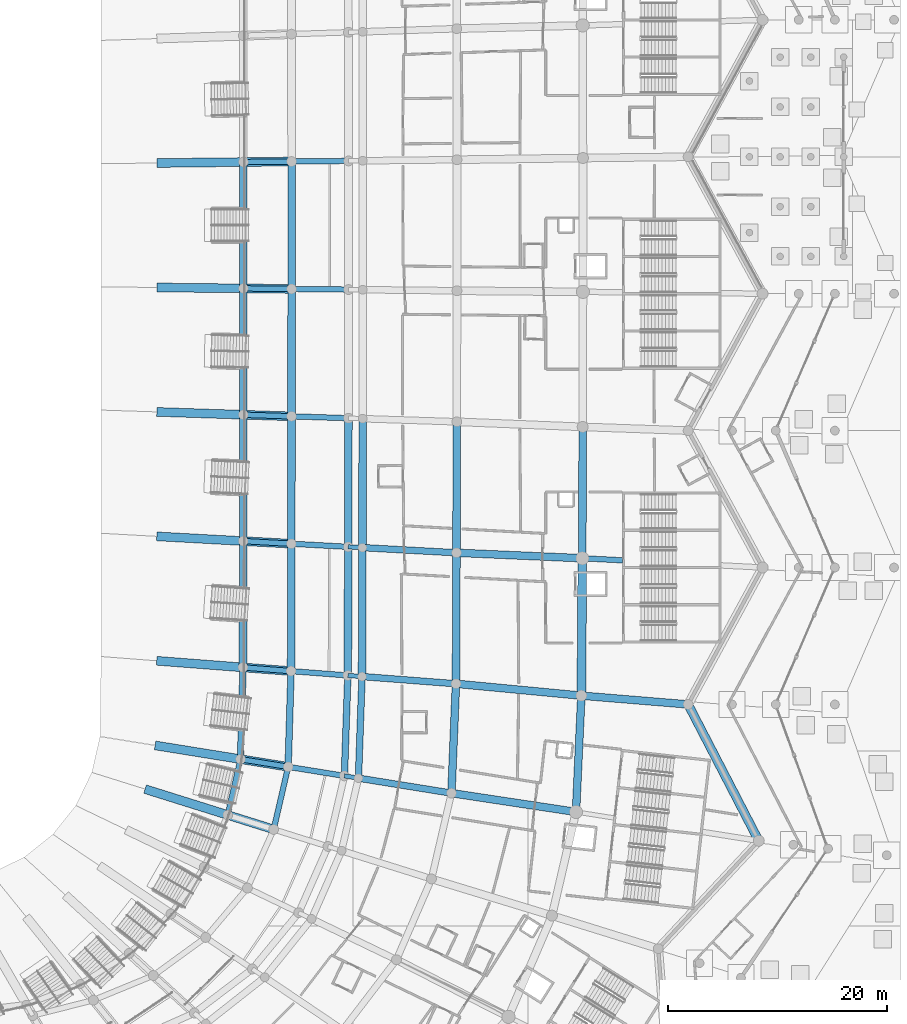
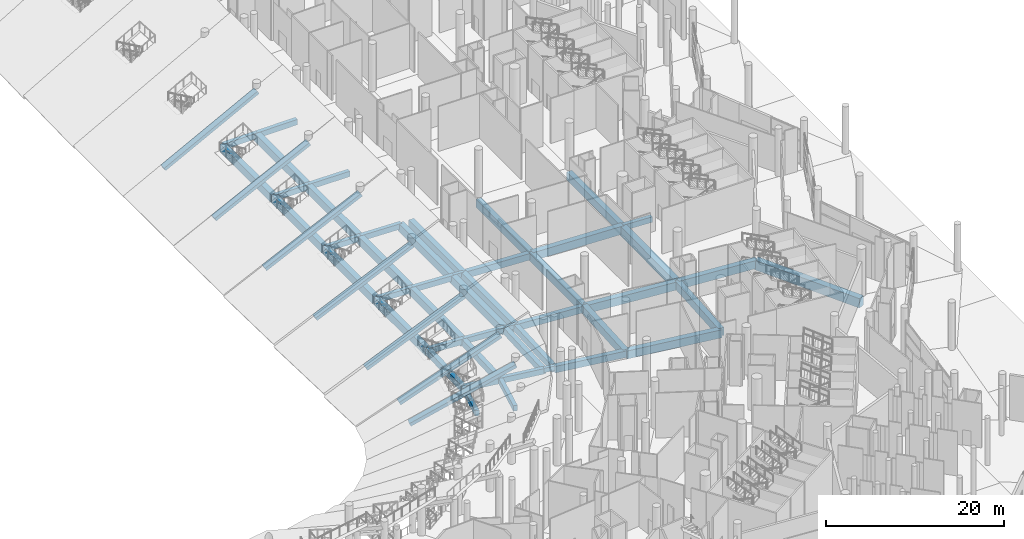
# One storey, part 38 of 255: 55 beams.
"""IFC4 building model written with IfcOpenShell, lengths in metres."""

from ifc_helpers import new_model, si_unit, direction, frame, origin, origin_2d, place, context, subcontext, project, spatial, rectangle, extrude, material, material_profile, profile_set, type_object, element, save


model = new_model("IFC4")

# Units and contexts
model_context = context("Model", 3, precision=1e-05, world=origin(), true_north=direction((0.0, 1.0)))
body_context = subcontext(model_context, "Body", "Model", "MODEL_VIEW")
ifc_project = project(units=[si_unit("LENGTHUNIT", "METRE"), si_unit("AREAUNIT", "SQUARE_METRE"), si_unit("VOLUMEUNIT", "CUBIC_METRE"), si_unit("PLANEANGLEUNIT", "RADIAN"), si_unit("MASSUNIT", "GRAM", prefix="KILO")], contexts=[model_context])

# Site, building, storey
site_placement = place(None, origin())
site = spatial("IfcSite", under=ifc_project, at=site_placement, CompositionType="ELEMENT")
building_placement = place(site_placement, origin())
building = spatial("IfcBuilding", under=site, at=building_placement, Name="Meseta Stadium", CompositionType="ELEMENT")
storey_placement = place(building_placement, origin())
storey = spatial("IfcBuildingStorey", under=building, at=storey_placement, Name="L00", CompositionType="ELEMENT", Elevation=0.0)

# Beams
ifc_material_1 = material(Name="Concrete C40/50", Category="concrete")
ifc_material_profile_1 = material_profile(ifc_material_1, rectangle(XDim=0.39990234375, YDim=0.60009765625, at=origin_2d()), Name="RC 400x600")
ifc_profile_set_1 = profile_set([ifc_material_profile_1], Name="Concrete C40/50")
beam_type_1 = type_object("IfcBeamType", Name="RC beam 400x600", PredefinedType="BEAM", material=ifc_profile_set_1)
for number, where, z_axis, x_axis, name in (
    (1, (63.21826171875, -50.27294921875, -0.699951171875), (0.98726777227, -0.159067111111, 0.0), (0.159067111111, 0.98726777227, 0.0), "L00 radial beam frame 0 line C to D"),
    (2, (63.53369140625, -41.1044921875, -0.699951171875), (0.99706000661, -0.076624690657, 0.0), (0.076624690657, 0.99706000661, 0.0), "L00 radial beam frame 1 line C to D"),
    (3, (63.566162109375, -29.3623046875, -0.699951171875), (0.998505663725, -0.054648325775, 0.0), (0.054648325775, 0.998505663725, 0.0), "L00 radial beam frame 2 line C to D"),
):
    element("IfcBeam", number, at=place(storey_placement, frame(where, z_axis=z_axis, x_axis=x_axis)), inside=storey, type_object=beam_type_1, Name=name, PredefinedType="BEAM", context=body_context, shape_type="SweptSolid", body=[
        extrude(rectangle(XDim=0.39990234375, YDim=0.60009765625, at=origin_2d()), origin(), (0.0, 0.0, 1.0), 1.300048828125),
    ])
ifc_material_2 = material(Name="Concrete C40/50", Category="concrete")
ifc_material_profile_2 = material_profile(ifc_material_2, rectangle(XDim=0.5, YDim=0.75, at=origin_2d()), Name="RC 500x750")
ifc_profile_set_2 = profile_set([ifc_material_profile_2], Name="Concrete C40/50")
beam_type_2 = type_object("IfcBeamType", Name="RC beam 500x750", PredefinedType="BEAM", material=ifc_profile_set_2)
beam_1_placement = place(storey_placement, frame((52.562744140625, -53.843505859375, -0.77490234375), z_axis=(0.225091279116, 0.974337680718, 0.0), x_axis=(-0.974337680718, 0.225091279116, 0.0)))
element("IfcBeam", 4, at=beam_1_placement, inside=storey, type_object=beam_type_2, Name="L00 ring beam frame 55 line B", PredefinedType="BEAM", context=body_context, shape_type="SweptSolid", body=[
    extrude(rectangle(XDim=0.5, YDim=0.75, at=origin_2d()), origin(), (0.0, 0.0, 1.0), 5.231201171875),
])
beam_2_placement = place(storey_placement, frame((56.76123046875, -55.159912109375, -0.77490234375), z_axis=(0.225583026399, 0.974223946637, 0.0), x_axis=(-0.974223946637, 0.225583026399, 0.0)))
element("IfcBeam", 5, at=beam_2_placement, inside=storey, type_object=beam_type_2, Name="L00 ring beam frame 55 line U", PredefinedType="BEAM", context=body_context, shape_type="SweptSolid", body=[
    extrude(rectangle(XDim=0.5, YDim=0.75, at=origin_2d()), origin(), (0.0, 0.0, 1.0), 5.86474609375),
])
beam_3_placement = place(storey_placement, frame((53.740234375, -48.74658203125, -0.77490234375), z_axis=(0.98727458223, -0.15902483857, 0.0), x_axis=(0.15902483857, 0.98727458223, 0.0)))
element("IfcBeam", 6, at=beam_3_placement, inside=storey, type_object=beam_type_2, Name="L00 radial beam frame 0 line B to U", PredefinedType="BEAM", context=body_context, shape_type="SweptSolid", body=[
    extrude(rectangle(XDim=0.5, YDim=0.75, at=origin_2d()), origin(), (0.0, 0.0, 1.0), 4.39990234375),
])
beam_4_placement = place(storey_placement, frame((58.084228515625, -49.4462890625, -0.77490234375), z_axis=(0.98728370104, -0.158968215879, 0.0), x_axis=(0.158968215879, 0.98728370104, 0.0)))
element("IfcBeam", 7, at=beam_4_placement, inside=storey, type_object=beam_type_2, Name="L00 radial beam frame 0 line U to C", PredefinedType="BEAM", context=body_context, shape_type="SweptSolid", body=[
    extrude(rectangle(XDim=0.5, YDim=0.75, at=origin_2d()), origin(), (0.0, 0.0, 1.0), 5.2001953125),
])
beam_5_placement = place(storey_placement, frame((53.9619140625, -40.369873046875, -0.77490234375), z_axis=(0.997068503293, -0.076514049307, 0.0), x_axis=(0.076514049307, 0.997068503293, 0.0)))
element("IfcBeam", 8, at=beam_5_placement, inside=storey, type_object=beam_type_2, Name="L00 radial beam frame 1 line B to U", PredefinedType="BEAM", context=body_context, shape_type="SweptSolid", body=[
    extrude(rectangle(XDim=0.5, YDim=0.75, at=origin_2d()), origin(), (0.0, 0.0, 1.0), 4.400146484375),
])
beam_6_placement = place(storey_placement, frame((58.34912109375, -40.70654296875, -0.77490234375), z_axis=(0.997067176411, -0.076531338178, 0.0), x_axis=(0.076531338178, 0.997067176411, 0.0)))
element("IfcBeam", 9, at=beam_6_placement, inside=storey, type_object=beam_type_2, Name="L00 radial beam frame 1 line U to C", PredefinedType="BEAM", context=body_context, shape_type="SweptSolid", body=[
    extrude(rectangle(XDim=0.5, YDim=0.75, at=origin_2d()), origin(), (0.0, 0.0, 1.0), 5.19970703125),
])
beam_7_placement = place(storey_placement, frame((53.98046875, -28.836669921875, -0.77490234375), z_axis=(0.998502235363, -0.05471093104, 0.0), x_axis=(0.05471093104, 0.998502235363, 0.0)))
element("IfcBeam", 10, at=beam_7_placement, inside=storey, type_object=beam_type_2, Name="L00 radial beam frame 2 line B to U", PredefinedType="BEAM", context=body_context, shape_type="SweptSolid", body=[
    extrude(rectangle(XDim=0.5, YDim=0.75, at=origin_2d()), origin(), (0.0, 0.0, 1.0), 4.39990234375),
])
beam_8_placement = place(storey_placement, frame((58.373779296875, -29.077392578125, -0.77490234375), z_axis=(0.998497968402, -0.054788749724, 0.0), x_axis=(0.054788749724, 0.998497968402, 0.0)))
element("IfcBeam", 11, at=beam_8_placement, inside=storey, type_object=beam_type_2, Name="L00 radial beam frame 2 line U to C", PredefinedType="BEAM", context=body_context, shape_type="SweptSolid", body=[
    extrude(rectangle(XDim=0.5, YDim=0.75, at=origin_2d()), origin(), (0.0, 0.0, 1.0), 5.2001953125),
])
beam_9_placement = place(storey_placement, frame((84.940673828125, -30.404052734375, -0.77490234375), z_axis=(0.998683115753, -0.051303355736, 0.0), x_axis=(0.051303355736, 0.998683115753, 0.0)))
element("IfcBeam", 12, at=beam_9_placement, inside=storey, type_object=beam_type_2, Name="L00 radial beam frame 2 line P to R", PredefinedType="BEAM", context=body_context, shape_type="SweptSolid", body=[
    extrude(rectangle(XDim=0.5, YDim=0.75, at=origin_2d()), origin(), (0.0, 0.0, 1.0), 3.664306640625),
])
beam_10_placement = place(storey_placement, frame((53.992919921875, -17.302490234375, -0.77490234375), z_axis=(0.999460377963, -0.032847418184, 0.0), x_axis=(0.032847418184, 0.999460377963, 0.0)))
element("IfcBeam", 13, at=beam_10_placement, inside=storey, type_object=beam_type_2, Name="L00 radial beam frame 3 line B to U", PredefinedType="BEAM", context=body_context, shape_type="SweptSolid", body=[
    extrude(rectangle(XDim=0.5, YDim=0.75, at=origin_2d()), origin(), (0.0, 0.0, 1.0), 4.400146484375),
])
beam_11_placement = place(storey_placement, frame((58.390625, -17.447021484375, -0.77490234375), z_axis=(0.999459812725, -0.032864612406, 0.0), x_axis=(0.032864612406, 0.999459812725, 0.0)))
element("IfcBeam", 14, at=beam_11_placement, inside=storey, type_object=beam_type_2, Name="L00 radial beam frame 3 line U to C", PredefinedType="BEAM", context=body_context, shape_type="SweptSolid", body=[
    extrude(rectangle(XDim=0.5, YDim=0.75, at=origin_2d()), origin(), (0.0, 0.0, 1.0), 5.2001953125),
])
beam_12_placement = place(storey_placement, frame((53.999267578125, -5.767578125, -0.77490234375), z_axis=(0.999939646384, -0.010986518505, 0.0), x_axis=(0.010986518505, 0.999939646384, 0.0)))
element("IfcBeam", 15, at=beam_12_placement, inside=storey, type_object=beam_type_2, Name="L00 radial beam frame 4 line B to U", PredefinedType="BEAM", context=body_context, shape_type="SweptSolid", body=[
    extrude(rectangle(XDim=0.5, YDim=0.75, at=origin_2d()), origin(), (0.0, 0.0, 1.0), 4.39990234375),
])
beam_13_placement = place(storey_placement, frame((58.39892578125, -5.81591796875, -0.77490234375), z_axis=(0.999940163633, -0.010939339756, 0.0), x_axis=(0.010939339756, 0.999940163633, 0.0)))
element("IfcBeam", 16, at=beam_13_placement, inside=storey, type_object=beam_type_2, Name="L00 radial beam frame 4 line U to C", PredefinedType="BEAM", context=body_context, shape_type="SweptSolid", body=[
    extrude(rectangle(XDim=0.5, YDim=0.75, at=origin_2d()), origin(), (0.0, 0.0, 1.0), 5.199951171875),
])
beam_14_placement = place(storey_placement, frame((53.999267578125, 5.767578125, -0.77490234375), z_axis=(0.999939646384, 0.010986518505, 0.0), x_axis=(-0.010986518505, 0.999939646384, 0.0)))
element("IfcBeam", 17, at=beam_14_placement, inside=storey, type_object=beam_type_2, Name="L00 radial beam frame 5 line B to U", PredefinedType="BEAM", context=body_context, shape_type="SweptSolid", body=[
    extrude(rectangle(XDim=0.5, YDim=0.75, at=origin_2d()), origin(), (0.0, 0.0, 1.0), 4.39990234375),
])
beam_15_placement = place(storey_placement, frame((58.39892578125, 5.81591796875, -0.77490234375), z_axis=(0.999940163633, 0.010939339756, 0.0), x_axis=(-0.010939339756, 0.999940163633, 0.0)))
element("IfcBeam", 18, at=beam_15_placement, inside=storey, type_object=beam_type_2, Name="L00 radial beam frame 5 line U to C", PredefinedType="BEAM", context=body_context, shape_type="SweptSolid", body=[
    extrude(rectangle(XDim=0.5, YDim=0.75, at=origin_2d()), origin(), (0.0, 0.0, 1.0), 5.199951171875),
])
ifc_material_3 = material(Name="Concrete C40/50", Category="concrete")
ifc_material_profile_3 = material_profile(ifc_material_3, rectangle(XDim=0.60009765625, YDim=0.89990234375, at=origin_2d()), Name="RC 600x900")
ifc_profile_set_3 = profile_set([ifc_material_profile_3], Name="Concrete C40/50")
beam_type_3 = type_object("IfcBeamType", Name="RC beam 600x900", PredefinedType="BEAM", material=ifc_profile_set_3)
beam_16_placement = place(storey_placement, frame((53.740234375, -48.74658203125, -0.85009765625), z_axis=(0.026454554384, 0.999650017032, 0.0), x_axis=(-0.999650017032, 0.026454554384, 0.0)))
element("IfcBeam", 19, at=beam_16_placement, inside=storey, type_object=beam_type_3, Name="L00 ring beam frame 0 line B", PredefinedType="BEAM", context=body_context, shape_type="SweptSolid", body=[
    extrude(rectangle(XDim=0.60009765625, YDim=0.89990234375, at=origin_2d()), origin(), (0.0, 0.0, 1.0), 8.379638671875),
])
beam_17_placement = place(storey_placement, frame((58.084228515625, -49.4462890625, -0.85009765625), z_axis=(0.030295043991, 0.999540999814, 0.0), x_axis=(-0.999540999814, 0.030295043991, 0.0)))
element("IfcBeam", 20, at=beam_17_placement, inside=storey, type_object=beam_type_3, Name="L00 ring beam frame 0 line U", PredefinedType="BEAM", context=body_context, shape_type="SweptSolid", body=[
    extrude(rectangle(XDim=0.60009765625, YDim=0.89990234375, at=origin_2d()), origin(), (0.0, 0.0, 1.0), 8.74365234375),
])
beam_18_placement = place(storey_placement, frame((63.21826171875, -50.27294921875, -0.85009765625), z_axis=(0.034383449406, 0.999408714394, 0.0), x_axis=(-0.999408714394, 0.034383449406, 0.0)))
element("IfcBeam", 21, at=beam_18_placement, inside=storey, type_object=beam_type_3, Name="L00 ring beam frame 0 line C", PredefinedType="BEAM", context=body_context, shape_type="SweptSolid", body=[
    extrude(rectangle(XDim=0.60009765625, YDim=0.89990234375, at=origin_2d()), origin(), (0.0, 0.0, 1.0), 9.173828125),
])
beam_19_placement = place(storey_placement, frame((64.501708984375, -50.479736328125, -0.85009765625), z_axis=(0.035352824386, 0.999374893525, 0.0), x_axis=(-0.999374893525, 0.035352824386, 0.0)))
element("IfcBeam", 22, at=beam_19_placement, inside=storey, type_object=beam_type_3, Name="L00 ring beam frame 0 line D", PredefinedType="BEAM", context=body_context, shape_type="SweptSolid", body=[
    extrude(rectangle(XDim=0.60009765625, YDim=0.89990234375, at=origin_2d()), origin(), (0.0, 0.0, 1.0), 9.281494140625),
])
beam_20_placement = place(storey_placement, frame((64.501708984375, -50.479736328125, -0.85009765625), z_axis=(0.987277660392, -0.159005727229, 0.0), x_axis=(0.159005727229, 0.987277660392, 0.0)))
element("IfcBeam", 23, at=beam_20_placement, inside=storey, type_object=beam_type_3, Name="L00 radial beam frame 0 line D to E", PredefinedType="BEAM", context=body_context, shape_type="SweptSolid", body=[
    extrude(rectangle(XDim=0.60009765625, YDim=0.89990234375, at=origin_2d()), origin(), (0.0, 0.0, 1.0), 8.599853515625),
])
for number, where, z_axis, x_axis, name in (
    (24, (64.829833984375, -41.2041015625, -0.85009765625), (0.997066996267, -0.076533685105, 0.0), (0.076533685105, 0.997066996267, 0.0), "L00 radial beam frame 1 line D to E"),
    (25, (64.8642578125, -29.433349609375, -0.85009765625), (0.998501047384, -0.054732607948, 0.0), (0.054732607948, 0.998501047384, 0.0), "L00 radial beam frame 2 line D to E"),
):
    element("IfcBeam", number, at=place(storey_placement, frame(where, z_axis=z_axis, x_axis=x_axis)), inside=storey, type_object=beam_type_3, Name=name, PredefinedType="BEAM", context=body_context, shape_type="SweptSolid", body=[
        extrude(rectangle(XDim=0.60009765625, YDim=0.89990234375, at=origin_2d()), origin(), (0.0, 0.0, 1.0), 8.60009765625),
    ])
ifc_material_4 = material(Name="Concrete C40/50", Category="concrete")
ifc_material_profile_4 = material_profile(ifc_material_4, rectangle(XDim=0.699951171875, YDim=1.10009765625, at=origin_2d()), Name="RC 700x1100")
ifc_profile_set_4 = profile_set([ifc_material_profile_4], Name="Concrete C40/50")
beam_type_4 = type_object("IfcBeamType", Name="RC beam 700x1100", PredefinedType="BEAM", material=ifc_profile_set_4)
beam_21_placement = place(storey_placement, frame((72.9921875, -51.84716796875, -0.949951171875), z_axis=(0.041287079546, 0.999147325004, 0.0), x_axis=(-0.999147325004, 0.041287079546, 0.0)))
element("IfcBeam", 26, at=beam_21_placement, inside=storey, type_object=beam_type_4, Name="L00 ring beam frame 0 line E", PredefinedType="BEAM", context=body_context, shape_type="SweptSolid", body=[
    extrude(rectangle(XDim=0.699951171875, YDim=1.10009765625, at=origin_2d()), origin(), (0.0, 0.0, 1.0), 9.993408203125),
])
beam_22_placement = place(storey_placement, frame((84.36328125, -53.5654296875, -0.949951171875), z_axis=(0.046171416705, 0.998933531462, 0.0), x_axis=(-0.998933531462, 0.046171416705, 0.0)))
element("IfcBeam", 27, at=beam_22_placement, inside=storey, type_object=beam_type_4, Name="L00 ring beam frame 0 line P", PredefinedType="BEAM", context=body_context, shape_type="SweptSolid", body=[
    extrude(rectangle(XDim=0.699951171875, YDim=1.10009765625, at=origin_2d()), origin(), (0.0, 0.0, 1.0), 10.628173828125),
])
beam_23_placement = place(storey_placement, frame((53.9619140625, -40.369873046875, -0.949951171875), z_axis=(0.001608804015, 0.999998705874, 0.0), x_axis=(-0.999998705874, 0.001608804015, 0.0)))
element("IfcBeam", 28, at=beam_23_placement, inside=storey, type_object=beam_type_4, Name="L00 ring beam frame 1 line B", PredefinedType="BEAM", context=body_context, shape_type="SweptSolid", body=[
    extrude(rectangle(XDim=0.699951171875, YDim=1.10009765625, at=origin_2d()), origin(), (0.0, 0.0, 1.0), 11.533203125),
])
beam_24_placement = place(storey_placement, frame((58.34912109375, -40.70654296875, -0.949951171875), z_axis=(0.002120373962, 0.999997752005, 0.0), x_axis=(-0.999997752005, 0.002120373962, 0.0)))
element("IfcBeam", 29, at=beam_24_placement, inside=storey, type_object=beam_type_4, Name="L00 ring beam frame 1 line U", PredefinedType="BEAM", context=body_context, shape_type="SweptSolid", body=[
    extrude(rectangle(XDim=0.699951171875, YDim=1.10009765625, at=origin_2d()), origin(), (0.0, 0.0, 1.0), 11.629150390625),
])
beam_25_placement = place(storey_placement, frame((63.53369140625, -41.1044921875, -0.949951171875), z_axis=(0.002765292155, 0.999996176572, 0.0), x_axis=(-0.999996176572, 0.002765292155, 0.0)))
element("IfcBeam", 30, at=beam_25_placement, inside=storey, type_object=beam_type_4, Name="L00 ring beam frame 1 line C", PredefinedType="BEAM", context=body_context, shape_type="SweptSolid", body=[
    extrude(rectangle(XDim=0.699951171875, YDim=1.10009765625, at=origin_2d()), origin(), (0.0, 0.0, 1.0), 11.7421875),
])
beam_26_placement = place(storey_placement, frame((64.829833984375, -41.2041015625, -0.949951171875), z_axis=(0.002924509925, 0.999995723612, 0.0), x_axis=(-0.999995723612, 0.002924509925, 0.0)))
element("IfcBeam", 31, at=beam_26_placement, inside=storey, type_object=beam_type_4, Name="L00 ring beam frame 1 line D", PredefinedType="BEAM", context=body_context, shape_type="SweptSolid", body=[
    extrude(rectangle(XDim=0.699951171875, YDim=1.10009765625, at=origin_2d()), origin(), (0.0, 0.0, 1.0), 11.770751953125),
])
beam_27_placement = place(storey_placement, frame((73.40478515625, -41.8623046875, -0.949951171875), z_axis=(0.003899441576, 0.999992397149, 0.0), x_axis=(-0.999992397149, 0.003899441576, 0.0)))
element("IfcBeam", 32, at=beam_27_placement, inside=storey, type_object=beam_type_4, Name="L00 ring beam frame 1 line E", PredefinedType="BEAM", context=body_context, shape_type="SweptSolid", body=[
    extrude(rectangle(XDim=0.699951171875, YDim=1.10009765625, at=origin_2d()), origin(), (0.0, 0.0, 1.0), 11.958251953125),
])
beam_28_placement = place(storey_placement, frame((53.98046875, -28.836669921875, -0.949951171875), z_axis=(0.00107950153, 0.999999417338, 0.0), x_axis=(-0.999999417338, 0.00107950153, 0.0)))
element("IfcBeam", 33, at=beam_28_placement, inside=storey, type_object=beam_type_4, Name="L00 ring beam frame 2 line B", PredefinedType="BEAM", context=body_context, shape_type="SweptSolid", body=[
    extrude(rectangle(XDim=0.699951171875, YDim=1.10009765625, at=origin_2d()), origin(), (0.0, 0.0, 1.0), 11.5341796875),
])
beam_29_placement = place(storey_placement, frame((58.373779296875, -29.077392578125, -0.949951171875), z_axis=(0.001448422008, 0.999998951036, 0.0), x_axis=(-0.999998951036, 0.001448422008, 0.0)))
element("IfcBeam", 34, at=beam_29_placement, inside=storey, type_object=beam_type_4, Name="L00 ring beam frame 2 line U", PredefinedType="BEAM", context=body_context, shape_type="SweptSolid", body=[
    extrude(rectangle(XDim=0.699951171875, YDim=1.10009765625, at=origin_2d()), origin(), (0.0, 0.0, 1.0), 11.63037109375),
])
beam_30_placement = place(storey_placement, frame((63.566162109375, -29.3623046875, -0.949951171875), z_axis=(0.001850116364, 0.999998288533, 0.0), x_axis=(-0.999998288533, 0.001850116364, 0.0)))
element("IfcBeam", 35, at=beam_30_placement, inside=storey, type_object=beam_type_4, Name="L00 ring beam frame 2 line C", PredefinedType="BEAM", context=body_context, shape_type="SweptSolid", body=[
    extrude(rectangle(XDim=0.699951171875, YDim=1.10009765625, at=origin_2d()), origin(), (0.0, 0.0, 1.0), 11.744384765625),
])
beam_31_placement = place(storey_placement, frame((64.8642578125, -29.433349609375, -0.949951171875), z_axis=(0.001949394886, 0.999998099928, 0.0), x_axis=(-0.999998099928, 0.001949394886, 0.0)))
element("IfcBeam", 36, at=beam_31_placement, inside=storey, type_object=beam_type_4, Name="L00 ring beam frame 2 line D", PredefinedType="BEAM", context=body_context, shape_type="SweptSolid", body=[
    extrude(rectangle(XDim=0.699951171875, YDim=1.10009765625, at=origin_2d()), origin(), (0.0, 0.0, 1.0), 11.7724609375),
])
beam_32_placement = place(storey_placement, frame((73.451416015625, -29.904052734375, -0.949951171875), z_axis=(0.002592357078, 0.999996639837, 0.0), x_axis=(-0.999996639837, 0.002592357078, 0.0)))
element("IfcBeam", 37, at=beam_32_placement, inside=storey, type_object=beam_type_4, Name="L00 ring beam frame 2 line E", PredefinedType="BEAM", context=body_context, shape_type="SweptSolid", body=[
    extrude(rectangle(XDim=0.699951171875, YDim=1.10009765625, at=origin_2d()), origin(), (0.0, 0.0, 1.0), 11.96044921875),
])
beam_33_placement = place(storey_placement, frame((84.940673828125, -30.404052734375, -0.949951171875), z_axis=(0.002707369213, 0.999996335069, 0.0), x_axis=(-0.999996335069, 0.002707369213, 0.0)))
element("IfcBeam", 38, at=beam_33_placement, inside=storey, type_object=beam_type_4, Name="L00 ring beam frame 2 line P", PredefinedType="BEAM", context=body_context, shape_type="SweptSolid", body=[
    extrude(rectangle(XDim=0.699951171875, YDim=1.10009765625, at=origin_2d()), origin(), (0.0, 0.0, 1.0), 11.993408203125),
])
beam_34_placement = place(storey_placement, frame((53.992919921875, -17.302490234375, -0.949951171875), z_axis=(0.000550299407, 0.999999848585, 0.0), x_axis=(-0.999999848585, 0.000550299407, 0.0)))
element("IfcBeam", 39, at=beam_34_placement, inside=storey, type_object=beam_type_4, Name="L00 ring beam frame 3 line B", PredefinedType="BEAM", context=body_context, shape_type="SweptSolid", body=[
    extrude(rectangle(XDim=0.699951171875, YDim=1.10009765625, at=origin_2d()), origin(), (0.0, 0.0, 1.0), 11.534912109375),
])
beam_35_placement = place(storey_placement, frame((58.390625, -17.447021484375, -0.949951171875), z_axis=(0.000713670816, 0.999999745337, 0.0), x_axis=(-0.999999745337, 0.000713670816, 0.0)))
element("IfcBeam", 40, at=beam_35_placement, inside=storey, type_object=beam_type_4, Name="L00 ring beam frame 3 line U", PredefinedType="BEAM", context=body_context, shape_type="SweptSolid", body=[
    extrude(rectangle(XDim=0.699951171875, YDim=1.10009765625, at=origin_2d()), origin(), (0.0, 0.0, 1.0), 11.631103515625),
])
beam_36_placement = place(storey_placement, frame((53.999267578125, -5.767578125, -0.949951171875), z_axis=(0.0, 1.0, 0.0), x_axis=(-1.0, 0.0, 0.0)))
element("IfcBeam", 41, at=beam_36_placement, inside=storey, type_object=beam_type_4, Name="L00 ring beam frame 4 line B", PredefinedType="BEAM", context=body_context, shape_type="SweptSolid", body=[
    extrude(rectangle(XDim=0.699951171875, YDim=1.10009765625, at=origin_2d()), origin(), (0.0, 0.0, 1.0), 11.53515625),
])
beam_37_placement = place(storey_placement, frame((58.39892578125, -5.81591796875, -0.949951171875), z_axis=(0.0, 1.0, 0.0), x_axis=(-1.0, 0.0, 0.0)))
element("IfcBeam", 42, at=beam_37_placement, inside=storey, type_object=beam_type_4, Name="L00 ring beam frame 4 line U", PredefinedType="BEAM", context=body_context, shape_type="SweptSolid", body=[
    extrude(rectangle(XDim=0.699951171875, YDim=1.10009765625, at=origin_2d()), origin(), (0.0, 0.0, 1.0), 11.6318359375),
])
beam_38_placement = place(storey_placement, frame((72.9921875, -51.84716796875, -0.949951171875), z_axis=(0.988775073655, -0.149411692039, 0.0), x_axis=(0.149411692039, 0.988775073655, 0.0)))
element("IfcBeam", 43, at=beam_38_placement, inside=storey, type_object=beam_type_4, Name="L00 radial beam frame 0 line E to P", PredefinedType="BEAM", context=body_context, shape_type="SweptSolid", body=[
    extrude(rectangle(XDim=0.699951171875, YDim=1.10009765625, at=origin_2d()), origin(), (0.0, 0.0, 1.0), 11.500244140625),
])
beam_39_placement = place(storey_placement, frame((73.40478515625, -41.8623046875, -0.949951171875), z_axis=(0.995530039578, -0.094445435561, 0.0), x_axis=(0.094445435561, 0.995530039578, 0.0)))
element("IfcBeam", 44, at=beam_39_placement, inside=storey, type_object=beam_type_4, Name="L00 radial beam frame 1 line E to P", PredefinedType="BEAM", context=body_context, shape_type="SweptSolid", body=[
    extrude(rectangle(XDim=0.699951171875, YDim=1.10009765625, at=origin_2d()), origin(), (0.0, 0.0, 1.0), 11.500732421875),
])
beam_40_placement = place(storey_placement, frame((84.85400390625, -42.948486328125, -0.949951171875), z_axis=(0.996635391437, -0.081962775303, 0.0), x_axis=(0.081962775303, 0.996635391437, 0.0)))
element("IfcBeam", 45, at=beam_40_placement, inside=storey, type_object=beam_type_4, Name="L00 radial beam frame 1 line P to R", PredefinedType="BEAM", context=body_context, shape_type="SweptSolid", body=[
    extrude(rectangle(XDim=0.699951171875, YDim=1.10009765625, at=origin_2d()), origin(), (0.0, 0.0, 1.0), 9.779052734375),
])
beam_41_placement = place(storey_placement, frame((73.451416015625, -29.904052734375, -0.949951171875), z_axis=(0.999054395094, -0.04347776033, 0.0), x_axis=(0.04347776033, 0.999054395094, 0.0)))
element("IfcBeam", 46, at=beam_41_placement, inside=storey, type_object=beam_type_4, Name="L00 radial beam frame 2 line E to P", PredefinedType="BEAM", context=body_context, shape_type="SweptSolid", body=[
    extrude(rectangle(XDim=0.699951171875, YDim=1.10009765625, at=origin_2d()), origin(), (0.0, 0.0, 1.0), 11.500244140625),
])
ifc_material_5 = material(Name="Concrete C40/50", Category="concrete")
ifc_material_profile_5 = material_profile(ifc_material_5, rectangle(XDim=0.800048828125, YDim=1.300048828125, at=origin_2d()), Name="RC 800x1300")
ifc_profile_set_5 = profile_set([ifc_material_profile_5], Name="Concrete C40/50")
beam_type_5 = type_object("IfcBeamType", Name="RC beam 800x1300", PredefinedType="BEAM", material=ifc_profile_set_5)
beam_42_placement = place(storey_placement, frame((101.0517578125, -56.202880859375, -1.050048828125), z_axis=(-0.460014301189, 0.887911506121, 0.0), x_axis=(-0.887911506121, -0.460014301189, 0.0)))
element("IfcBeam", 47, at=beam_42_placement, inside=storey, type_object=beam_type_5, Name="L00 ring beam frame 0 line R", PredefinedType="BEAM", context=body_context, shape_type="SweptSolid", body=[
    extrude(rectangle(XDim=0.800048828125, YDim=1.300048828125, at=origin_2d()), origin(), (0.0, 0.0, 1.0), 14.02490234375),
])
beam_43_placement = place(storey_placement, frame((84.85400390625, -42.948486328125, -1.050048828125), z_axis=(0.006908869398, 0.999976133477, 0.0), x_axis=(-0.999976133477, 0.006908869398, 0.0)))
element("IfcBeam", 48, at=beam_43_placement, inside=storey, type_object=beam_type_5, Name="L00 ring beam frame 1 line P", PredefinedType="BEAM", context=body_context, shape_type="SweptSolid", body=[
    extrude(rectangle(XDim=0.800048828125, YDim=1.300048828125, at=origin_2d()), origin(), (0.0, 0.0, 1.0), 12.544677734375),
])
ifc_material_6 = material(Name="Concrete C40/50", Category="concrete")
ifc_material_profile_6 = material_profile(ifc_material_6, rectangle(XDim=0.800048828125, YDim=0.449951171875, at=origin_2d()), Name="RC 800x450")
ifc_profile_set_6 = profile_set([ifc_material_profile_6], Name="Concrete C40/50")
beam_type_6 = type_object("IfcBeamType", Name="RC raker lower 800x450", PredefinedType="USERDEFINED", material=ifc_profile_set_6)
beam_44_placement = place(storey_placement, frame((46.03955078125, -47.50634765625, -0.7998046875), z_axis=(0.879658390455, -0.141679650766, 0.454013207584), x_axis=(0.159012854331, 0.987276512512, 0.0)))
element("IfcBeam", 49, at=beam_44_placement, inside=storey, type_object=beam_type_6, Name="Raker lower frame 0 lower tier", ObjectType="RAKER", PredefinedType="USERDEFINED", context=body_context, shape_type="SweptSolid", body=[
    extrude(rectangle(XDim=0.800048828125, YDim=0.449951171875, at=origin_2d()), origin(), (0.0, 0.0, 1.0), 13.6923828125),
])
for number, where, z_axis, x_axis, name in (
    (50, (46.184814453125, -39.77294921875, -0.805419921875), (0.888233965299, -0.068170731225, 0.454305155478), (0.076523575733, 0.997067772199, 0.0), "Raker lower frame 1 lower tier"),
    (51, (46.192138671875, -28.40966796875, -0.867919921875), (0.889508530141, -0.048757532266, 0.454309671759), (0.054731851811, 0.998501088831, 0.0), "Raker lower frame 2 lower tier"),
    (52, (46.197265625, -17.0458984375, -0.9306640625), (0.890362604919, -0.029290120132, 0.454308838374), (0.032879058379, 0.999459337602, 0.0), "Raker lower frame 3 lower tier"),
    (53, (46.19970703125, -5.681884765625, -0.99365234375), (0.890790480813, -0.009787143251, 0.454308849925), (0.010986368611, 0.999939648031, 0.0), "Raker lower frame 4 lower tier"),
    (54, (46.19970703125, 5.681884765625, -0.99365234375), (0.890790480813, 0.009787143251, 0.454308849925), (-0.010986368611, 0.999939648031, 0.0), "Raker lower frame 5 lower tier"),
):
    element("IfcBeam", number, at=place(storey_placement, frame(where, z_axis=z_axis, x_axis=x_axis)), inside=storey, type_object=beam_type_6, Name=name, ObjectType="RAKER", PredefinedType="USERDEFINED", context=body_context, shape_type="SweptSolid", body=[
        extrude(rectangle(XDim=0.800048828125, YDim=0.449951171875, at=origin_2d()), origin(), (0.0, 0.0, 1.0), 13.69482421875),
    ])
beam_45_placement = place(storey_placement, frame((45.1201171875, -51.510009765625, -0.937744140625), z_axis=(0.850481481105, -0.266656141574, 0.453404623331), x_axis=(0.299175031257, 0.954198250194, 0.0)))
element("IfcBeam", 55, at=beam_45_placement, inside=storey, type_object=beam_type_6, Name="Raker lower frame 55 lower tier", ObjectType="RAKER", PredefinedType="USERDEFINED", context=body_context, shape_type="SweptSolid", body=[
    extrude(rectangle(XDim=0.800048828125, YDim=0.449951171875, at=origin_2d()), origin(), (0.0, 0.0, 1.0), 13.687744140625),
])

save(model, "model.ifc")
